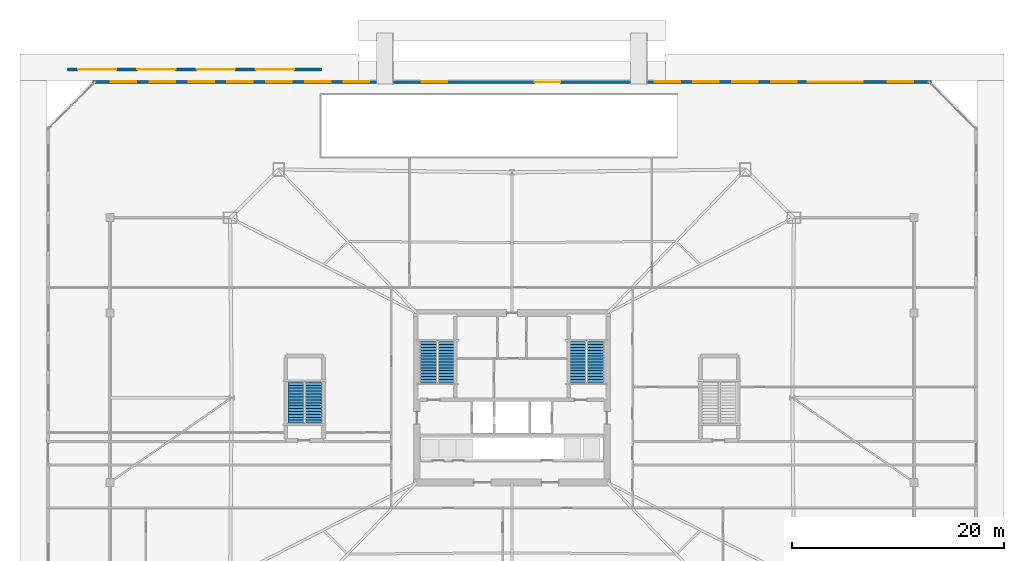
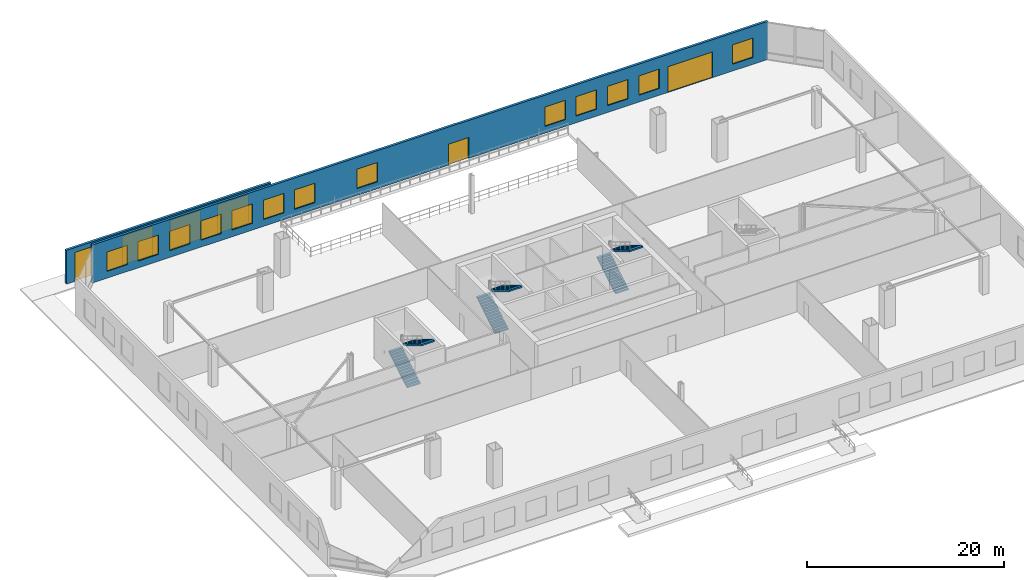
# One storey, part 18 of 23: 13 windows, 6 doors, 6 stair flights, 2 walls, 19 openings, 3 elements without a shape of their own.
"""IFC4 building model written with IfcOpenShell, lengths in metres."""

from ifc_helpers import new_model, si_unit, direction, frame, frame_2d, origin, place, context, subcontext, project, spatial, polyline, rectangle, outline, extrude, material, layer, layer_set, type_object, element, fill, aggregate, save


model = new_model("IFC4")

# Units and contexts
model_context = context("Model", 3, precision=1e-05, world=origin(), true_north=direction((0.0, 1.0)))
body_context = subcontext(model_context, "Body", "Model", "MODEL_VIEW")
ifc_project = project(units=[si_unit("LENGTHUNIT", "METRE"), si_unit("AREAUNIT", "SQUARE_METRE"), si_unit("VOLUMEUNIT", "CUBIC_METRE"), si_unit("PLANEANGLEUNIT", "RADIAN"), si_unit("MASSUNIT", "GRAM", prefix="KILO")], contexts=[model_context])

# Site, building, storey
site_placement = place(None, origin())
site = spatial("IfcSite", under=ifc_project, at=site_placement, CompositionType="ELEMENT")
building_placement = place(site_placement, origin())
building = spatial("IfcBuilding", under=site, at=building_placement, Name="Caelvoria Tower", CompositionType="ELEMENT")
storey_placement = place(building_placement, origin())
storey = spatial("IfcBuildingStorey", under=building, at=storey_placement, Name="L00", CompositionType="ELEMENT", Elevation=0.0)

# Wall, openings, doors, windows
ifc_material_1 = material(Name="Precast Concrete C40/50 with Bronze Cladding", Category="concrete")
ifc_layer = layer(ifc_material_1, 0.280029296875, Name="Precast Concrete C40/50 with Bronze Cladding")
ifc_layer_set = layer_set([ifc_layer], Name="Exterior Precast Concrete C40/50 Bronze-Clad Facade Wall 280 - Precast Concrete C40/50 with Bronze Cladding")
wall_type = type_object("IfcWallType", Name="Exterior Precast Concrete C40/50 Bronze-Clad Facade Wall 280", PredefinedType="STANDARD", material=ifc_layer_set)
wall_1_placement = place(storey_placement, frame((85.639892578125, 61.860107421875, 0.0), z_axis=(0.0, 0.0, 1.0), x_axis=(-1.0, 0.0, 0.0)))
wall_1 = element("IfcWall", 1, at=wall_1_placement, inside=storey, type_object=wall_type, Name="Exterior Facade Wall L00-E4", PredefinedType="STANDARD", context=body_context, shape_type="SweptSolid", body=[
    extrude(rectangle(XDim=79.27978515625, YDim=0.280029296875, at=frame_2d((39.639892578125, 0.0))), origin(), (0.0, 0.0, 1.0), 4.719970703125),
])
opening_1_placement = place(wall_1_placement, frame((35.090087890625, 0.0, 0.0)))
opening_1 = element("IfcOpeningElement", 2, at=opening_1_placement, cuts=wall_1, Name="Opening ED-01", PredefinedType="OPENING", context=body_context, shape_type="SweptSolid", body=[
    extrude(rectangle(XDim=2.39990234375, YDim=2.60009765625, at=frame_2d((1.199951171875, 1.300048828125))), frame((0.0, 0.14990234375, 0.0), z_axis=(0.0, -1.0, 0.0), x_axis=(1.0, 0.0, 0.0)), (0.0, 0.0, 1.0), 0.300048828125),
])
opening_2_placement = place(wall_1_placement, frame((1.735107421875, 0.0, 0.85009765625)))
opening_2 = element("IfcOpeningElement", 3, at=opening_2_placement, cuts=wall_1, Name="Opening WN-04", PredefinedType="OPENING", context=body_context, shape_type="SweptSolid", body=[
    extrude(rectangle(XDim=2.39990234375, YDim=2.39990234375, at=frame_2d((1.199951171875, 1.199951171875))), frame((0.0, 0.14990234375, 0.0), z_axis=(0.0, -1.0, 0.0), x_axis=(1.0, 0.0, 0.0)), (0.0, 0.0, 1.0), 0.300048828125),
])
opening_3_placement = place(wall_1_placement, frame((12.74658203125, 0.0, 0.85009765625)))
opening_3 = element("IfcOpeningElement", 4, at=opening_3_placement, cuts=wall_1, Name="Opening WN-04", PredefinedType="OPENING", context=body_context, shape_type="SweptSolid", body=[
    extrude(rectangle(XDim=2.39990234375, YDim=2.39990234375, at=frame_2d((1.199951171875, 1.199951171875))), frame((0.0, 0.14990234375, 0.0), z_axis=(0.0, -1.0, 0.0), x_axis=(1.0, 0.0, 0.0)), (0.0, 0.0, 1.0), 0.300048828125),
])
opening_4_placement = place(wall_1_placement, frame((16.4169921875, 0.0, 0.85009765625)))
opening_4 = element("IfcOpeningElement", 5, at=opening_4_placement, cuts=wall_1, Name="Opening WN-04", PredefinedType="OPENING", context=body_context, shape_type="SweptSolid", body=[
    extrude(rectangle(XDim=2.39990234375, YDim=2.39990234375, at=frame_2d((1.199951171875, 1.199951171875))), frame((0.0, 0.14990234375, 0.0), z_axis=(0.0, -1.0, 0.0), x_axis=(1.0, 0.0, 0.0)), (0.0, 0.0, 1.0), 0.300048828125),
])
opening_5_placement = place(wall_1_placement, frame((20.087646484375, 0.0, 0.85009765625)))
opening_5 = element("IfcOpeningElement", 6, at=opening_5_placement, cuts=wall_1, Name="Opening WN-04", PredefinedType="OPENING", context=body_context, shape_type="SweptSolid", body=[
    extrude(rectangle(XDim=2.39990234375, YDim=2.39990234375, at=frame_2d((1.199951171875, 1.199951171875))), frame((0.0, 0.14990234375, 0.0), z_axis=(0.0, -1.0, 0.0), x_axis=(1.0, 0.0, 0.0)), (0.0, 0.0, 1.0), 0.300048828125),
])
opening_6_placement = place(wall_1_placement, frame((23.758056640625, 0.0, 0.85009765625)))
opening_6 = element("IfcOpeningElement", 7, at=opening_6_placement, cuts=wall_1, Name="Opening WN-04", PredefinedType="OPENING", context=body_context, shape_type="SweptSolid", body=[
    extrude(rectangle(XDim=2.39990234375, YDim=2.39990234375, at=frame_2d((1.199951171875, 1.199951171875))), frame((0.0, 0.14990234375, 0.0), z_axis=(0.0, -1.0, 0.0), x_axis=(1.0, 0.0, 0.0)), (0.0, 0.0, 1.0), 0.300048828125),
])
opening_7_placement = place(wall_1_placement, frame((45.781005859375, 0.0, 0.85009765625)))
opening_7 = element("IfcOpeningElement", 8, at=opening_7_placement, cuts=wall_1, Name="Opening WN-04", PredefinedType="OPENING", context=body_context, shape_type="SweptSolid", body=[
    extrude(rectangle(XDim=2.39990234375, YDim=2.39990234375, at=frame_2d((1.199951171875, 1.199951171875))), frame((0.0, 0.14990234375, 0.0), z_axis=(0.0, -1.0, 0.0), x_axis=(1.0, 0.0, 0.0)), (0.0, 0.0, 1.0), 0.300048828125),
])
opening_8_placement = place(wall_1_placement, frame((53.121826171875, 0.0, 0.85009765625)))
opening_8 = element("IfcOpeningElement", 9, at=opening_8_placement, cuts=wall_1, Name="Opening WN-04", PredefinedType="OPENING", context=body_context, shape_type="SweptSolid", body=[
    extrude(rectangle(XDim=2.39990234375, YDim=2.39990234375, at=frame_2d((1.199951171875, 1.199951171875))), frame((0.0, 0.14990234375, 0.0), z_axis=(0.0, -1.0, 0.0), x_axis=(1.0, 0.0, 0.0)), (0.0, 0.0, 1.0), 0.300048828125),
])
opening_9_placement = place(wall_1_placement, frame((56.79248046875, 0.0, 0.85009765625)))
opening_9 = element("IfcOpeningElement", 10, at=opening_9_placement, cuts=wall_1, Name="Opening WN-04", PredefinedType="OPENING", context=body_context, shape_type="SweptSolid", body=[
    extrude(rectangle(XDim=2.39990234375, YDim=2.39990234375, at=frame_2d((1.199951171875, 1.199951171875))), frame((0.0, 0.14990234375, 0.0), z_axis=(0.0, -1.0, 0.0), x_axis=(1.0, 0.0, 0.0)), (0.0, 0.0, 1.0), 0.300048828125),
])
opening_10_placement = place(wall_1_placement, frame((60.462890625, 0.0, 0.85009765625)))
opening_10 = element("IfcOpeningElement", 11, at=opening_10_placement, cuts=wall_1, Name="Opening WN-04", PredefinedType="OPENING", context=body_context, shape_type="SweptSolid", body=[
    extrude(rectangle(XDim=2.39990234375, YDim=2.39990234375, at=frame_2d((1.199951171875, 1.199951171875))), frame((0.0, 0.14990234375, 0.0), z_axis=(0.0, -1.0, 0.0), x_axis=(1.0, 0.0, 0.0)), (0.0, 0.0, 1.0), 0.300048828125),
])
opening_11_placement = place(wall_1_placement, frame((64.13330078125, 0.0, 0.85009765625)))
opening_11 = element("IfcOpeningElement", 12, at=opening_11_placement, cuts=wall_1, Name="Opening WN-04", PredefinedType="OPENING", context=body_context, shape_type="SweptSolid", body=[
    extrude(rectangle(XDim=2.39990234375, YDim=2.39990234375, at=frame_2d((1.199951171875, 1.199951171875))), frame((0.0, 0.14990234375, 0.0), z_axis=(0.0, -1.0, 0.0), x_axis=(1.0, 0.0, 0.0)), (0.0, 0.0, 1.0), 0.300048828125),
])
opening_12_placement = place(wall_1_placement, frame((67.8037109375, 0.0, 0.85009765625)))
opening_12 = element("IfcOpeningElement", 13, at=opening_12_placement, cuts=wall_1, Name="Opening WN-04", PredefinedType="OPENING", context=body_context, shape_type="SweptSolid", body=[
    extrude(rectangle(XDim=2.39990234375, YDim=2.39990234375, at=frame_2d((1.199951171875, 1.199951171875))), frame((0.0, 0.14990234375, 0.0), z_axis=(0.0, -1.0, 0.0), x_axis=(1.0, 0.0, 0.0)), (0.0, 0.0, 1.0), 0.300048828125),
])
opening_13_placement = place(wall_1_placement, frame((71.474365234375, 0.0, 0.85009765625)))
opening_13 = element("IfcOpeningElement", 14, at=opening_13_placement, cuts=wall_1, Name="Opening WN-04", PredefinedType="OPENING", context=body_context, shape_type="SweptSolid", body=[
    extrude(rectangle(XDim=2.39990234375, YDim=2.39990234375, at=frame_2d((1.199951171875, 1.199951171875))), frame((0.0, 0.14990234375, 0.0), z_axis=(0.0, -1.0, 0.0), x_axis=(1.0, 0.0, 0.0)), (0.0, 0.0, 1.0), 0.300048828125),
])
opening_14_placement = place(wall_1_placement, frame((75.144775390625, 0.0, 0.85009765625)))
opening_14 = element("IfcOpeningElement", 15, at=opening_14_placement, cuts=wall_1, Name="Opening WN-04", PredefinedType="OPENING", context=body_context, shape_type="SweptSolid", body=[
    extrude(rectangle(XDim=2.39990234375, YDim=2.39990234375, at=frame_2d((1.199951171875, 1.199951171875))), frame((0.0, 0.14990234375, 0.0), z_axis=(0.0, -1.0, 0.0), x_axis=(1.0, 0.0, 0.0)), (0.0, 0.0, 1.0), 0.300048828125),
])
opening_15_placement = place(wall_1_placement, frame((6.5, 0.0, 0.0)))
opening_15 = element("IfcOpeningElement", 16, at=opening_15_placement, cuts=wall_1, Name="Opening GT-01", PredefinedType="OPENING", context=body_context, shape_type="SweptSolid", body=[
    extrude(rectangle(XDim=5.199951171875, YDim=3.199951171875, at=frame_2d((2.60009765625, 1.60009765625))), frame((0.0, 0.14990234375, 0.0), z_axis=(0.0, -1.0, 0.0), x_axis=(1.0, 0.0, 0.0)), (0.0, 0.0, 1.0), 0.300048828125),
])
ifc_material_2 = material(Name="Anodised Bronze Aluminium and Laminated Glass", Category="aluminium")
door_type_1 = type_object("IfcDoorType", Name="Main Plaza Double Entrance Glazed Door 2400x2600", OperationType="NOTDEFINED", PredefinedType="DOOR", material=ifc_material_2)
door_1_placement = place(opening_1_placement, frame((2.39990234375, 0.0, 0.0), z_axis=(0.0, 0.0, 1.0), x_axis=(-1.0, 0.0, 0.0)))
door_1 = element("IfcDoor", 17, at=door_1_placement, inside=storey, type_object=door_type_1, Name="Ground Main Entrance Door N", OperationType="DOUBLE_DOOR_SINGLE_SWING", OverallHeight=2.60009765625, OverallWidth=2.39990234375, PredefinedType="DOOR", context=body_context, shape_type="SweptSolid", body=[
    extrude(rectangle(XDim=2.39990234375, YDim=2.60009765625, at=frame_2d((1.199951171875, 1.300048828125))), frame((0.0, 0.02490234375, 0.0), z_axis=(0.0, -1.0, 0.0), x_axis=(1.0, 0.0, 0.0)), (0.0, 0.0, 1.0), 0.050048828125),
])
fill(opening_1, door_1)
ifc_material_3 = material(Name="Low-E Tinted Glass in Bronze Aluminium Frame", Category="aluminium")
window_type = type_object("IfcWindowType", Name="Podium Commercial Ribbon Window 2400x2400", PartitioningType="SINGLE_PANEL", PredefinedType="WINDOW", material=ifc_material_3)
window_1_placement = place(opening_2_placement, origin())
window_1 = element("IfcWindow", 18, at=window_1_placement, inside=storey, type_object=window_type, Name="Facade Window L00-E4-00", OverallHeight=2.39990234375, OverallWidth=2.39990234375, PartitioningType="SINGLE_PANEL", PredefinedType="WINDOW", context=body_context, shape_type="SweptSolid", body=[
    extrude(rectangle(XDim=2.39990234375, YDim=2.39990234375, at=frame_2d((1.199951171875, 1.199951171875))), frame((0.0, 0.030029296875, 0.0), z_axis=(0.0, -1.0, 0.0), x_axis=(1.0, 0.0, 0.0)), (0.0, 0.0, 1.0), 0.06005859375),
])
fill(opening_2, window_1)
window_2_placement = place(opening_3_placement, origin())
window_2 = element("IfcWindow", 19, at=window_2_placement, inside=storey, type_object=window_type, Name="Facade Window L00-E4-03", OverallHeight=2.39990234375, OverallWidth=2.39990234375, PartitioningType="SINGLE_PANEL", PredefinedType="WINDOW", context=body_context, shape_type="SweptSolid", body=[
    extrude(rectangle(XDim=2.39990234375, YDim=2.39990234375, at=frame_2d((1.199951171875, 1.199951171875))), frame((0.0, 0.030029296875, 0.0), z_axis=(0.0, -1.0, 0.0), x_axis=(1.0, 0.0, 0.0)), (0.0, 0.0, 1.0), 0.06005859375),
])
fill(opening_3, window_2)
window_3_placement = place(opening_4_placement, origin())
window_3 = element("IfcWindow", 20, at=window_3_placement, inside=storey, type_object=window_type, Name="Facade Window L00-E4-04", OverallHeight=2.39990234375, OverallWidth=2.39990234375, PartitioningType="SINGLE_PANEL", PredefinedType="WINDOW", context=body_context, shape_type="SweptSolid", body=[
    extrude(rectangle(XDim=2.39990234375, YDim=2.39990234375, at=frame_2d((1.199951171875, 1.199951171875))), frame((0.0, 0.030029296875, 0.0), z_axis=(0.0, -1.0, 0.0), x_axis=(1.0, 0.0, 0.0)), (0.0, 0.0, 1.0), 0.06005859375),
])
fill(opening_4, window_3)
window_4_placement = place(opening_5_placement, origin())
window_4 = element("IfcWindow", 21, at=window_4_placement, inside=storey, type_object=window_type, Name="Facade Window L00-E4-05", OverallHeight=2.39990234375, OverallWidth=2.39990234375, PartitioningType="SINGLE_PANEL", PredefinedType="WINDOW", context=body_context, shape_type="SweptSolid", body=[
    extrude(rectangle(XDim=2.39990234375, YDim=2.39990234375, at=frame_2d((1.199951171875, 1.199951171875))), frame((0.0, 0.030029296875, 0.0), z_axis=(0.0, -1.0, 0.0), x_axis=(1.0, 0.0, 0.0)), (0.0, 0.0, 1.0), 0.06005859375),
])
fill(opening_5, window_4)
window_5_placement = place(opening_6_placement, origin())
window_5 = element("IfcWindow", 22, at=window_5_placement, inside=storey, type_object=window_type, Name="Facade Window L00-E4-06", OverallHeight=2.39990234375, OverallWidth=2.39990234375, PartitioningType="SINGLE_PANEL", PredefinedType="WINDOW", context=body_context, shape_type="SweptSolid", body=[
    extrude(rectangle(XDim=2.39990234375, YDim=2.39990234375, at=frame_2d((1.199951171875, 1.199951171875))), frame((0.0, 0.030029296875, 0.0), z_axis=(0.0, -1.0, 0.0), x_axis=(1.0, 0.0, 0.0)), (0.0, 0.0, 1.0), 0.06005859375),
])
fill(opening_6, window_5)
window_6_placement = place(opening_7_placement, origin())
window_6 = element("IfcWindow", 23, at=window_6_placement, inside=storey, type_object=window_type, Name="Facade Window L00-E4-12", OverallHeight=2.39990234375, OverallWidth=2.39990234375, PartitioningType="SINGLE_PANEL", PredefinedType="WINDOW", context=body_context, shape_type="SweptSolid", body=[
    extrude(rectangle(XDim=2.39990234375, YDim=2.39990234375, at=frame_2d((1.199951171875, 1.199951171875))), frame((0.0, 0.030029296875, 0.0), z_axis=(0.0, -1.0, 0.0), x_axis=(1.0, 0.0, 0.0)), (0.0, 0.0, 1.0), 0.06005859375),
])
fill(opening_7, window_6)
window_7_placement = place(opening_8_placement, origin())
window_7 = element("IfcWindow", 24, at=window_7_placement, inside=storey, type_object=window_type, Name="Facade Window L00-E4-14", OverallHeight=2.39990234375, OverallWidth=2.39990234375, PartitioningType="SINGLE_PANEL", PredefinedType="WINDOW", context=body_context, shape_type="SweptSolid", body=[
    extrude(rectangle(XDim=2.39990234375, YDim=2.39990234375, at=frame_2d((1.199951171875, 1.199951171875))), frame((0.0, 0.030029296875, 0.0), z_axis=(0.0, -1.0, 0.0), x_axis=(1.0, 0.0, 0.0)), (0.0, 0.0, 1.0), 0.06005859375),
])
fill(opening_8, window_7)
window_8_placement = place(opening_9_placement, origin())
window_8 = element("IfcWindow", 25, at=window_8_placement, inside=storey, type_object=window_type, Name="Facade Window L00-E4-15", OverallHeight=2.39990234375, OverallWidth=2.39990234375, PartitioningType="SINGLE_PANEL", PredefinedType="WINDOW", context=body_context, shape_type="SweptSolid", body=[
    extrude(rectangle(XDim=2.39990234375, YDim=2.39990234375, at=frame_2d((1.199951171875, 1.199951171875))), frame((0.0, 0.030029296875, 0.0), z_axis=(0.0, -1.0, 0.0), x_axis=(1.0, 0.0, 0.0)), (0.0, 0.0, 1.0), 0.06005859375),
])
fill(opening_9, window_8)
window_9_placement = place(opening_10_placement, origin())
window_9 = element("IfcWindow", 26, at=window_9_placement, inside=storey, type_object=window_type, Name="Facade Window L00-E4-16", OverallHeight=2.39990234375, OverallWidth=2.39990234375, PartitioningType="SINGLE_PANEL", PredefinedType="WINDOW", context=body_context, shape_type="SweptSolid", body=[
    extrude(rectangle(XDim=2.39990234375, YDim=2.39990234375, at=frame_2d((1.199951171875, 1.199951171875))), frame((0.0, 0.030029296875, 0.0), z_axis=(0.0, -1.0, 0.0), x_axis=(1.0, 0.0, 0.0)), (0.0, 0.0, 1.0), 0.06005859375),
])
fill(opening_10, window_9)
window_10_placement = place(opening_11_placement, origin())
window_10 = element("IfcWindow", 27, at=window_10_placement, inside=storey, type_object=window_type, Name="Facade Window L00-E4-17", OverallHeight=2.39990234375, OverallWidth=2.39990234375, PartitioningType="SINGLE_PANEL", PredefinedType="WINDOW", context=body_context, shape_type="SweptSolid", body=[
    extrude(rectangle(XDim=2.39990234375, YDim=2.39990234375, at=frame_2d((1.199951171875, 1.199951171875))), frame((0.0, 0.030029296875, 0.0), z_axis=(0.0, -1.0, 0.0), x_axis=(1.0, 0.0, 0.0)), (0.0, 0.0, 1.0), 0.06005859375),
])
fill(opening_11, window_10)
window_11_placement = place(opening_12_placement, origin())
window_11 = element("IfcWindow", 28, at=window_11_placement, inside=storey, type_object=window_type, Name="Facade Window L00-E4-18", OverallHeight=2.39990234375, OverallWidth=2.39990234375, PartitioningType="SINGLE_PANEL", PredefinedType="WINDOW", context=body_context, shape_type="SweptSolid", body=[
    extrude(rectangle(XDim=2.39990234375, YDim=2.39990234375, at=frame_2d((1.199951171875, 1.199951171875))), frame((0.0, 0.030029296875, 0.0), z_axis=(0.0, -1.0, 0.0), x_axis=(1.0, 0.0, 0.0)), (0.0, 0.0, 1.0), 0.06005859375),
])
fill(opening_12, window_11)
window_12_placement = place(opening_13_placement, origin())
window_12 = element("IfcWindow", 29, at=window_12_placement, inside=storey, type_object=window_type, Name="Facade Window L00-E4-19", OverallHeight=2.39990234375, OverallWidth=2.39990234375, PartitioningType="SINGLE_PANEL", PredefinedType="WINDOW", context=body_context, shape_type="SweptSolid", body=[
    extrude(rectangle(XDim=2.39990234375, YDim=2.39990234375, at=frame_2d((1.199951171875, 1.199951171875))), frame((0.0, 0.030029296875, 0.0), z_axis=(0.0, -1.0, 0.0), x_axis=(1.0, 0.0, 0.0)), (0.0, 0.0, 1.0), 0.06005859375),
])
fill(opening_13, window_12)
window_13_placement = place(opening_14_placement, origin())
window_13 = element("IfcWindow", 30, at=window_13_placement, inside=storey, type_object=window_type, Name="Facade Window L00-E4-20", OverallHeight=2.39990234375, OverallWidth=2.39990234375, PartitioningType="SINGLE_PANEL", PredefinedType="WINDOW", context=body_context, shape_type="SweptSolid", body=[
    extrude(rectangle(XDim=2.39990234375, YDim=2.39990234375, at=frame_2d((1.199951171875, 1.199951171875))), frame((0.0, 0.030029296875, 0.0), z_axis=(0.0, -1.0, 0.0), x_axis=(1.0, 0.0, 0.0)), (0.0, 0.0, 1.0), 0.06005859375),
])
fill(opening_14, window_13)
ifc_material_4 = material(Name="Galvanized Insulated Steel ASTM A653", Category="steel")
door_type_2 = type_object("IfcDoorType", Name="Vehicle Ramp Security Roller Gate 5200x3200", OperationType="NOTDEFINED", PredefinedType="GATE", material=ifc_material_4)
door_2_placement = place(opening_15_placement, origin())
door_2 = element("IfcDoor", 31, at=door_2_placement, inside=storey, type_object=door_type_2, Name="Basement Vehicle Ramp Portal Roller Gate", OperationType="ROLLINGUP", OverallHeight=3.199951171875, OverallWidth=5.199951171875, PredefinedType="GATE", context=body_context, shape_type="SweptSolid", body=[
    extrude(rectangle(XDim=5.199951171875, YDim=3.199951171875, at=frame_2d((2.60009765625, 1.60009765625))), frame((0.0, 0.02490234375, 0.0), z_axis=(0.0, -1.0, 0.0), x_axis=(1.0, 0.0, 0.0)), (0.0, 0.0, 1.0), 0.050048828125),
])
fill(opening_15, door_2)

# Wall, openings, doors
wall_2_placement = place(storey_placement, frame((4.0, 63.0, 0.0), z_axis=(0.0, 0.0, 1.0), x_axis=(1.0, 0.0, 0.0)))
wall_2 = element("IfcWall", 32, at=wall_2_placement, inside=storey, type_object=wall_type, Name="Street Service Apron Screen Wall", PredefinedType="STANDARD", context=body_context, shape_type="SweptSolid", body=[
    extrude(rectangle(XDim=24.0, YDim=0.280029296875, at=frame_2d((12.0, 0.0))), origin(), (0.0, 0.0, 1.0), 4.199951171875),
])
opening_16_placement = place(wall_2_placement, frame((1.0, 0.0, 0.0)))
opening_16 = element("IfcOpeningElement", 33, at=opening_16_placement, cuts=wall_2, Name="Opening GT-02", PredefinedType="OPENING", context=body_context, shape_type="SweptSolid", body=[
    extrude(rectangle(XDim=3.60009765625, YDim=3.60009765625, at=frame_2d((1.800048828125, 1.800048828125))), frame((0.0, 0.14990234375, 0.0), z_axis=(0.0, -1.0, 0.0), x_axis=(1.0, 0.0, 0.0)), (0.0, 0.0, 1.0), 0.300048828125),
])
opening_17_placement = place(wall_2_placement, frame((6.60009765625, 0.0, 0.0)))
opening_17 = element("IfcOpeningElement", 34, at=opening_17_placement, cuts=wall_2, Name="Opening GT-02", PredefinedType="OPENING", context=body_context, shape_type="SweptSolid", body=[
    extrude(rectangle(XDim=3.60009765625, YDim=3.60009765625, at=frame_2d((1.800048828125, 1.800048828125))), frame((0.0, 0.14990234375, 0.0), z_axis=(0.0, -1.0, 0.0), x_axis=(1.0, 0.0, 0.0)), (0.0, 0.0, 1.0), 0.300048828125),
])
opening_18_placement = place(wall_2_placement, frame((12.199951171875, 0.0, 0.0)))
opening_18 = element("IfcOpeningElement", 35, at=opening_18_placement, cuts=wall_2, Name="Opening GT-02", PredefinedType="OPENING", context=body_context, shape_type="SweptSolid", body=[
    extrude(rectangle(XDim=3.60009765625, YDim=3.60009765625, at=frame_2d((1.800048828125, 1.800048828125))), frame((0.0, 0.14990234375, 0.0), z_axis=(0.0, -1.0, 0.0), x_axis=(1.0, 0.0, 0.0)), (0.0, 0.0, 1.0), 0.300048828125),
])
opening_19_placement = place(wall_2_placement, frame((17.800048828125, 0.0, 0.0)))
opening_19 = element("IfcOpeningElement", 36, at=opening_19_placement, cuts=wall_2, Name="Opening GT-02", PredefinedType="OPENING", context=body_context, shape_type="SweptSolid", body=[
    extrude(rectangle(XDim=3.60009765625, YDim=3.60009765625, at=frame_2d((1.800048828125, 1.800048828125))), frame((0.0, 0.14990234375, 0.0), z_axis=(0.0, -1.0, 0.0), x_axis=(1.0, 0.0, 0.0)), (0.0, 0.0, 1.0), 0.300048828125),
])
door_type_3 = type_object("IfcDoorType", Name="Loading Bay Insulated Roller Gate 3600x3600", OperationType="NOTDEFINED", PredefinedType="GATE", material=ifc_material_4)
door_3_placement = place(opening_16_placement, origin())
door_3 = element("IfcDoor", 37, at=door_3_placement, inside=storey, type_object=door_type_3, Name="Service Yard Bay Gate 01", OperationType="ROLLINGUP", OverallHeight=3.60009765625, OverallWidth=3.60009765625, PredefinedType="GATE", context=body_context, shape_type="SweptSolid", body=[
    extrude(rectangle(XDim=3.60009765625, YDim=3.60009765625, at=frame_2d((1.800048828125, 1.800048828125))), frame((0.0, 0.02490234375, 0.0), z_axis=(0.0, -1.0, 0.0), x_axis=(1.0, 0.0, 0.0)), (0.0, 0.0, 1.0), 0.050048828125),
])
fill(opening_16, door_3)
door_4_placement = place(opening_17_placement, origin())
door_4 = element("IfcDoor", 38, at=door_4_placement, inside=storey, type_object=door_type_3, Name="Service Yard Bay Gate 02", OperationType="ROLLINGUP", OverallHeight=3.60009765625, OverallWidth=3.60009765625, PredefinedType="GATE", context=body_context, shape_type="SweptSolid", body=[
    extrude(rectangle(XDim=3.60009765625, YDim=3.60009765625, at=frame_2d((1.800048828125, 1.800048828125))), frame((0.0, 0.02490234375, 0.0), z_axis=(0.0, -1.0, 0.0), x_axis=(1.0, 0.0, 0.0)), (0.0, 0.0, 1.0), 0.050048828125),
])
fill(opening_17, door_4)
door_5_placement = place(opening_18_placement, origin())
door_5 = element("IfcDoor", 39, at=door_5_placement, inside=storey, type_object=door_type_3, Name="Service Yard Bay Gate 03", OperationType="ROLLINGUP", OverallHeight=3.60009765625, OverallWidth=3.60009765625, PredefinedType="GATE", context=body_context, shape_type="SweptSolid", body=[
    extrude(rectangle(XDim=3.60009765625, YDim=3.60009765625, at=frame_2d((1.800048828125, 1.800048828125))), frame((0.0, 0.02490234375, 0.0), z_axis=(0.0, -1.0, 0.0), x_axis=(1.0, 0.0, 0.0)), (0.0, 0.0, 1.0), 0.050048828125),
])
fill(opening_18, door_5)
door_6_placement = place(opening_19_placement, origin())
door_6 = element("IfcDoor", 40, at=door_6_placement, inside=storey, type_object=door_type_3, Name="Service Yard Bay Gate 04", OperationType="ROLLINGUP", OverallHeight=3.60009765625, OverallWidth=3.60009765625, PredefinedType="GATE", context=body_context, shape_type="SweptSolid", body=[
    extrude(rectangle(XDim=3.60009765625, YDim=3.60009765625, at=frame_2d((1.800048828125, 1.800048828125))), frame((0.0, 0.02490234375, 0.0), z_axis=(0.0, -1.0, 0.0), x_axis=(1.0, 0.0, 0.0)), (0.0, 0.0, 1.0), 0.050048828125),
])
fill(opening_19, door_6)

# Stair, stair flights
ifc_material_5 = material(Name="Concrete C40/50", Category="concrete")
stair_type = type_object("IfcStairType", Name="Core Smokeproof Dogleg Stair Concrete C40/50", PredefinedType="HALF_TURN_STAIR", material=ifc_material_5)
stair_1_placement = place(storey_placement, origin())
stair_1 = element("IfcStair", 41, at=stair_1_placement, inside=storey, type_object=stair_type, Name="ST-01 Smokeproof Exit Stair L00", PredefinedType="HALF_TURN_STAIR")
ifc_material_6 = material(Name="Precast Concrete C40/50", Category="concrete")
stair_flight_type = type_object("IfcStairFlightType", Name="Precast Concrete C40/50 Stair Flight 1480", PredefinedType="STRAIGHT", material=ifc_material_6)
stair_flight_1_placement = place(storey_placement, frame((38.1298828125, 33.449951171875, 0.0), z_axis=(0.0, 0.0, 1.0), x_axis=(0.0, 1.0, 0.0)))
stair_flight_1 = element("IfcStairFlight", 42, at=stair_flight_1_placement, type_object=stair_flight_type, Name="ST-01 flight 1", NumberOfRisers=15, NumberOfTreads=14, PredefinedType="STRAIGHT", RiserHeight=0.1667, TreadLength=0.275, context=body_context, shape_type="SweptSolid", body=[
    extrude(outline(polyline([(0.0, 0.0), (0.0, 0.166748046875), (0.27490234375, 0.166748046875), (0.27490234375, 0.33349609375), (0.550048828125, 0.33349609375), (0.550048828125, 0.5), (0.824951171875, 0.5), (0.824951171875, 0.666748046875), (1.10009765625, 0.666748046875), (1.10009765625, 0.83349609375), (1.375, 0.83349609375), (1.375, 1.000244140625), (1.64990234375, 1.000244140625), (1.64990234375, 1.1669921875), (1.925048828125, 1.1669921875), (1.925048828125, 1.33349609375), (2.199951171875, 1.33349609375), (2.199951171875, 1.500244140625), (2.47509765625, 1.500244140625), (2.47509765625, 1.6669921875), (2.75, 1.6669921875), (2.75, 1.833740234375), (3.02490234375, 1.833740234375), (3.02490234375, 2.00048828125), (3.300048828125, 2.00048828125), (3.300048828125, 2.1669921875), (3.574951171875, 2.1669921875), (3.574951171875, 2.333740234375), (3.85009765625, 2.333740234375), (3.85009765625, 2.50048828125), (3.85009765625, 2.146728515625), (0.30859375, 0.0), (0.0, 0.0)])), frame((0.0, 0.77001953125, 0.0), z_axis=(0.0, -1.0, 0.0), x_axis=(1.0, 0.0, 0.0)), (0.0, 0.0, 1.0), 1.5400390625),
])
stair_flight_2_placement = place(storey_placement, frame((39.77001953125, 37.300048828125, 2.5), z_axis=(0.0, 0.0, 1.0), x_axis=(0.0, -1.0, 0.0)))
stair_flight_2 = element("IfcStairFlight", 43, at=stair_flight_2_placement, type_object=stair_flight_type, Name="ST-01 flight 2", NumberOfRisers=15, NumberOfTreads=14, PredefinedType="STRAIGHT", RiserHeight=0.1667, TreadLength=0.275, context=body_context, shape_type="SweptSolid", body=[
    extrude(outline(polyline([(0.0, 0.0), (0.0, 0.166748046875), (0.27490234375, 0.166748046875), (0.27490234375, 0.33349609375), (0.550048828125, 0.33349609375), (0.550048828125, 0.5), (0.824951171875, 0.5), (0.824951171875, 0.666748046875), (1.10009765625, 0.666748046875), (1.10009765625, 0.83349609375), (1.375, 0.83349609375), (1.375, 1.000244140625), (1.64990234375, 1.000244140625), (1.64990234375, 1.1669921875), (1.925048828125, 1.1669921875), (1.925048828125, 1.33349609375), (2.199951171875, 1.33349609375), (2.199951171875, 1.500244140625), (2.47509765625, 1.500244140625), (2.47509765625, 1.6669921875), (2.75, 1.6669921875), (2.75, 1.833740234375), (3.02490234375, 1.833740234375), (3.02490234375, 2.00048828125), (3.300048828125, 2.00048828125), (3.300048828125, 2.1669921875), (3.574951171875, 2.1669921875), (3.574951171875, 2.333740234375), (3.85009765625, 2.333740234375), (3.85009765625, 2.50048828125), (3.85009765625, 2.146728515625), (0.30859375, 0.0), (0.0, 0.0)])), frame((0.0, 0.77001953125, 0.0), z_axis=(0.0, -1.0, 0.0), x_axis=(1.0, 0.0, 0.0)), (0.0, 0.0, 1.0), 1.5400390625),
])
aggregate(stair_1, [stair_flight_1, stair_flight_2])

stair_2_placement = place(storey_placement, origin())
stair_2 = element("IfcStair", 44, at=stair_2_placement, inside=storey, type_object=stair_type, Name="ST-02 Smokeproof Exit Stair L00", PredefinedType="HALF_TURN_STAIR")
stair_flight_3_placement = place(storey_placement, frame((52.22998046875, 33.449951171875, 0.0), z_axis=(0.0, 0.0, 1.0), x_axis=(0.0, 1.0, 0.0)))
stair_flight_3 = element("IfcStairFlight", 45, at=stair_flight_3_placement, type_object=stair_flight_type, Name="ST-02 flight 1", NumberOfRisers=15, NumberOfTreads=14, PredefinedType="STRAIGHT", RiserHeight=0.1667, TreadLength=0.275, context=body_context, shape_type="SweptSolid", body=[
    extrude(outline(polyline([(0.0, 0.0), (0.0, 0.166748046875), (0.27490234375, 0.166748046875), (0.27490234375, 0.33349609375), (0.550048828125, 0.33349609375), (0.550048828125, 0.5), (0.824951171875, 0.5), (0.824951171875, 0.666748046875), (1.10009765625, 0.666748046875), (1.10009765625, 0.83349609375), (1.375, 0.83349609375), (1.375, 1.000244140625), (1.64990234375, 1.000244140625), (1.64990234375, 1.1669921875), (1.925048828125, 1.1669921875), (1.925048828125, 1.33349609375), (2.199951171875, 1.33349609375), (2.199951171875, 1.500244140625), (2.47509765625, 1.500244140625), (2.47509765625, 1.6669921875), (2.75, 1.6669921875), (2.75, 1.833740234375), (3.02490234375, 1.833740234375), (3.02490234375, 2.00048828125), (3.300048828125, 2.00048828125), (3.300048828125, 2.1669921875), (3.574951171875, 2.1669921875), (3.574951171875, 2.333740234375), (3.85009765625, 2.333740234375), (3.85009765625, 2.50048828125), (3.85009765625, 2.146728515625), (0.30859375, 0.0), (0.0, 0.0)])), frame((0.0, 0.77001953125, 0.0), z_axis=(0.0, -1.0, 0.0), x_axis=(1.0, 0.0, 0.0)), (0.0, 0.0, 1.0), 1.5400390625),
])
stair_flight_4_placement = place(storey_placement, frame((53.8701171875, 37.300048828125, 2.5), z_axis=(0.0, 0.0, 1.0), x_axis=(0.0, -1.0, 0.0)))
stair_flight_4 = element("IfcStairFlight", 46, at=stair_flight_4_placement, type_object=stair_flight_type, Name="ST-02 flight 2", NumberOfRisers=15, NumberOfTreads=14, PredefinedType="STRAIGHT", RiserHeight=0.1667, TreadLength=0.275, context=body_context, shape_type="SweptSolid", body=[
    extrude(outline(polyline([(0.0, 0.0), (0.0, 0.166748046875), (0.27490234375, 0.166748046875), (0.27490234375, 0.33349609375), (0.550048828125, 0.33349609375), (0.550048828125, 0.5), (0.824951171875, 0.5), (0.824951171875, 0.666748046875), (1.10009765625, 0.666748046875), (1.10009765625, 0.83349609375), (1.375, 0.83349609375), (1.375, 1.000244140625), (1.64990234375, 1.000244140625), (1.64990234375, 1.1669921875), (1.925048828125, 1.1669921875), (1.925048828125, 1.33349609375), (2.199951171875, 1.33349609375), (2.199951171875, 1.500244140625), (2.47509765625, 1.500244140625), (2.47509765625, 1.6669921875), (2.75, 1.6669921875), (2.75, 1.833740234375), (3.02490234375, 1.833740234375), (3.02490234375, 2.00048828125), (3.300048828125, 2.00048828125), (3.300048828125, 2.1669921875), (3.574951171875, 2.1669921875), (3.574951171875, 2.333740234375), (3.85009765625, 2.333740234375), (3.85009765625, 2.50048828125), (3.85009765625, 2.146728515625), (0.30859375, 0.0), (0.0, 0.0)])), frame((0.0, 0.77001953125, 0.0), z_axis=(0.0, -1.0, 0.0), x_axis=(1.0, 0.0, 0.0)), (0.0, 0.0, 1.0), 1.5400390625),
])
aggregate(stair_2, [stair_flight_3, stair_flight_4])

stair_3_placement = place(storey_placement, origin())
stair_3 = element("IfcStair", 47, at=stair_3_placement, inside=storey, type_object=stair_type, Name="ST-03 Smokeproof Exit Stair L00", PredefinedType="HALF_TURN_STAIR")
stair_flight_5_placement = place(storey_placement, frame((25.580078125, 29.60009765625, 0.0), z_axis=(0.0, 0.0, 1.0), x_axis=(0.0, 1.0, 0.0)))
stair_flight_5 = element("IfcStairFlight", 48, at=stair_flight_5_placement, type_object=stair_flight_type, Name="ST-03 flight 1", NumberOfRisers=15, NumberOfTreads=14, PredefinedType="STRAIGHT", RiserHeight=0.1667, TreadLength=0.275, context=body_context, shape_type="SweptSolid", body=[
    extrude(outline(polyline([(0.0, 0.0), (0.0, 0.166748046875), (0.27490234375, 0.166748046875), (0.27490234375, 0.33349609375), (0.550048828125, 0.33349609375), (0.550048828125, 0.5), (0.824951171875, 0.5), (0.824951171875, 0.666748046875), (1.10009765625, 0.666748046875), (1.10009765625, 0.83349609375), (1.375, 0.83349609375), (1.375, 1.000244140625), (1.64990234375, 1.000244140625), (1.64990234375, 1.1669921875), (1.925048828125, 1.1669921875), (1.925048828125, 1.33349609375), (2.199951171875, 1.33349609375), (2.199951171875, 1.500244140625), (2.47509765625, 1.500244140625), (2.47509765625, 1.6669921875), (2.75, 1.6669921875), (2.75, 1.833740234375), (3.02490234375, 1.833740234375), (3.02490234375, 2.00048828125), (3.300048828125, 2.00048828125), (3.300048828125, 2.1669921875), (3.574951171875, 2.1669921875), (3.574951171875, 2.333740234375), (3.85009765625, 2.333740234375), (3.85009765625, 2.50048828125), (3.85009765625, 2.146728515625), (0.30859375, 0.0), (0.0, 0.0)])), frame((0.0, 0.77001953125, 0.0), z_axis=(0.0, -1.0, 0.0), x_axis=(1.0, 0.0, 0.0)), (0.0, 0.0, 1.0), 1.5400390625),
])
stair_flight_6_placement = place(storey_placement, frame((27.219970703125, 33.449951171875, 2.5), z_axis=(0.0, 0.0, 1.0), x_axis=(0.0, -1.0, 0.0)))
stair_flight_6 = element("IfcStairFlight", 49, at=stair_flight_6_placement, type_object=stair_flight_type, Name="ST-03 flight 2", NumberOfRisers=15, NumberOfTreads=14, PredefinedType="STRAIGHT", RiserHeight=0.1667, TreadLength=0.275, context=body_context, shape_type="SweptSolid", body=[
    extrude(outline(polyline([(0.0, 0.0), (0.0, 0.166748046875), (0.27490234375, 0.166748046875), (0.27490234375, 0.33349609375), (0.550048828125, 0.33349609375), (0.550048828125, 0.5), (0.824951171875, 0.5), (0.824951171875, 0.666748046875), (1.10009765625, 0.666748046875), (1.10009765625, 0.83349609375), (1.375, 0.83349609375), (1.375, 1.000244140625), (1.64990234375, 1.000244140625), (1.64990234375, 1.1669921875), (1.925048828125, 1.1669921875), (1.925048828125, 1.33349609375), (2.199951171875, 1.33349609375), (2.199951171875, 1.500244140625), (2.47509765625, 1.500244140625), (2.47509765625, 1.6669921875), (2.75, 1.6669921875), (2.75, 1.833740234375), (3.02490234375, 1.833740234375), (3.02490234375, 2.00048828125), (3.300048828125, 2.00048828125), (3.300048828125, 2.1669921875), (3.574951171875, 2.1669921875), (3.574951171875, 2.333740234375), (3.85009765625, 2.333740234375), (3.85009765625, 2.50048828125), (3.85009765625, 2.146728515625), (0.30859375, 0.0), (0.0, 0.0)])), frame((0.0, 0.77001953125, 0.0), z_axis=(0.0, -1.0, 0.0), x_axis=(1.0, 0.0, 0.0)), (0.0, 0.0, 1.0), 1.5400390625),
])
aggregate(stair_3, [stair_flight_5, stair_flight_6])

save(model, "model.ifc")
